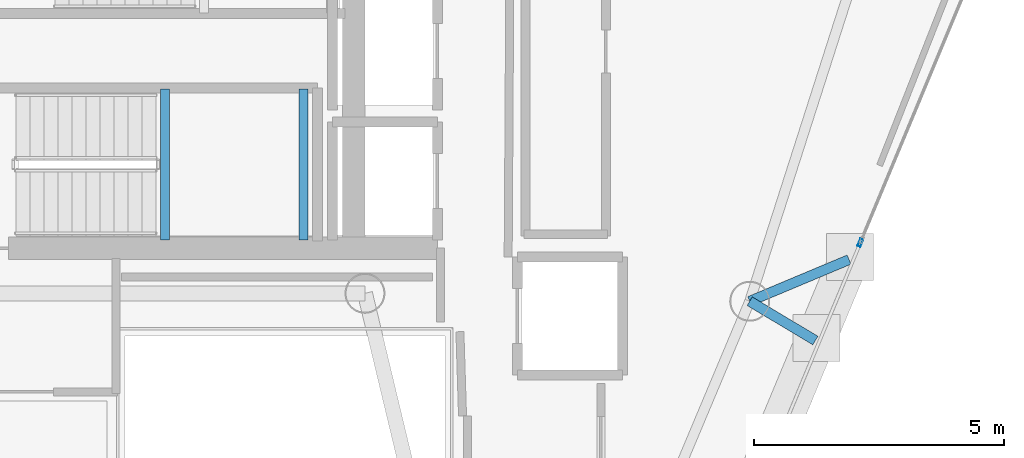
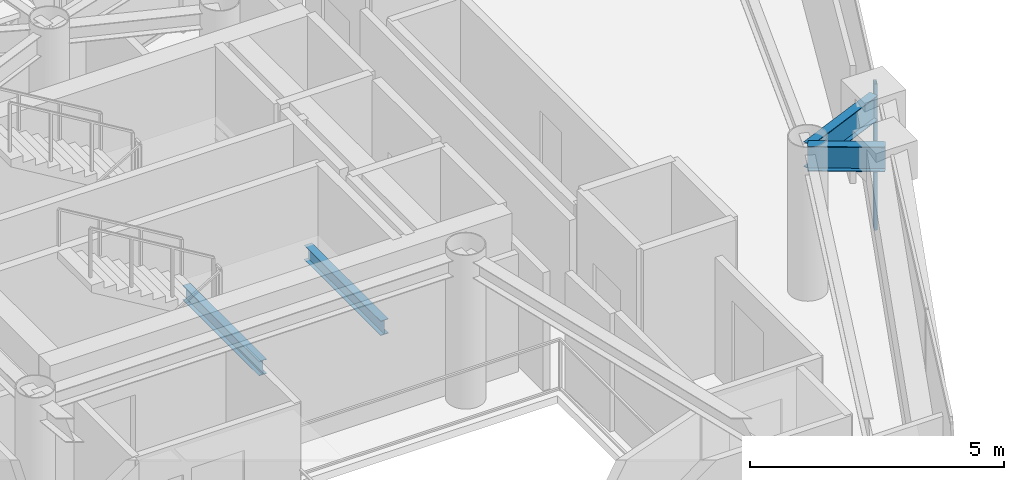
# One storey, part 11 of 19: 4 beams, 1 member, 1 element without a shape of its own.
"""IFC4 building model written with IfcOpenShell, lengths in metres."""

from ifc_helpers import new_model, si_unit, direction, frame, origin, origin_2d, place, context, subcontext, project, spatial, hollow_rectangle, i_section, extrude, material, layer, layer_set, material_profile, profile_set, type_object, element, aggregate, save


model = new_model("IFC4")

# Units and contexts
model_context = context("Model", 3, precision=1e-05, world=origin(), true_north=direction((0.0, 1.0)))
body_context = subcontext(model_context, "Body", "Model", "MODEL_VIEW")
ifc_project = project(units=[si_unit("LENGTHUNIT", "METRE"), si_unit("AREAUNIT", "SQUARE_METRE"), si_unit("VOLUMEUNIT", "CUBIC_METRE"), si_unit("PLANEANGLEUNIT", "RADIAN"), si_unit("MASSUNIT", "GRAM", prefix="KILO")], contexts=[model_context])

# Site, building, storey
site_placement = place(None, origin())
site = spatial("IfcSite", under=ifc_project, at=site_placement, CompositionType="ELEMENT")
building_placement = place(site_placement, origin())
building = spatial("IfcBuilding", under=site, at=building_placement, Name="Qianvela Tower", CompositionType="ELEMENT")
storey_placement = place(building_placement, frame((0.0, 0.0, 333.300048828125)))
storey = spatial("IfcBuildingStorey", under=building, at=storey_placement, Name="L86", CompositionType="ELEMENT", Elevation=333.300048828125)

# Beams
ifc_material_1 = material(Name="Steel Q355B", Category="steel")
ifc_material_profile_1 = material_profile(ifc_material_1, i_section(OverallWidth=0.175048828125, OverallDepth=0.35009765625, WebThickness=0.007080078125, FlangeThickness=0.010986328125, at=origin_2d()), Name="HN350x175x7x11")
ifc_profile_set_1 = profile_set([ifc_material_profile_1], Name="Steel Q355B")
beam_type_1 = type_object("IfcBeamType", Name="BM-HN350-JOIST", PredefinedType="JOIST", material=ifc_profile_set_1)
for number, where, z_axis, x_axis, name in (
    (1, (34.39990234375, 24.919921875, 1.474853515625), (0.0, 1.0, 0.0), (-1.0, 0.0, 0.0), "L86 Stair ST-2 Landing Support Beam 1.1"),
    (2, (37.169921875, 24.919921875, 1.474853515625), (0.0, 1.0, 0.0), (-1.0, 0.0, 0.0), "L86 Stair ST-2 Landing Support Beam 1.2"),
):
    element("IfcBeam", number, at=place(storey_placement, frame(where, z_axis=z_axis, x_axis=x_axis)), inside=storey, type_object=beam_type_1, Name=name, PredefinedType="JOIST", context=body_context, shape_type="SweptSolid", body=[
        extrude(i_section(OverallWidth=0.175048828125, OverallDepth=0.35009765625, WebThickness=0.007080078125, FlangeThickness=0.010986328125, at=origin_2d()), origin(), (0.0, 0.0, 1.0), 3.02001953125),
    ])
ifc_material_2 = material(Name="Steel Q355B", Category="steel")
ifc_material_profile_2 = material_profile(ifc_material_2, i_section(OverallWidth=0.199951171875, OverallDepth=0.60009765625, WebThickness=0.010986328125, FlangeThickness=0.01708984375, at=origin_2d()), Name="HN600x200x11x17")
ifc_profile_set_2 = profile_set([ifc_material_profile_2], Name="Steel Q355B")
beam_type_2 = type_object("IfcBeamType", Name="BM-HN600-GIRD", PredefinedType="BEAM", material=ifc_profile_set_2)
beam_1_placement = place(storey_placement, frame((46.094970703125, 23.69091796875, 3.218017578125), z_axis=(0.858322660481, -0.513110329759, 0.0), x_axis=(0.513110329759, 0.858322660481, 0.0)))
element("IfcBeam", 3, at=beam_1_placement, inside=storey, type_object=beam_type_2, Name="L86 Mega-Brace Column Tie Bracket F3-1", PredefinedType="BEAM", context=body_context, shape_type="SweptSolid", body=[
    extrude(i_section(OverallWidth=0.199951171875, OverallDepth=0.60009765625, WebThickness=0.010986328125, FlangeThickness=0.01708984375, at=origin_2d()), origin(), (0.0, 0.0, 1.0), 1.52978515625),
])
beam_2_placement = place(storey_placement, frame((46.094970703125, 23.69091796875, 3.218017578125), z_axis=(0.922223061058, 0.386658280208, 0.0), x_axis=(-0.386658280208, 0.922223061058, 0.0)))
element("IfcBeam", 4, at=beam_2_placement, inside=storey, type_object=beam_type_2, Name="L86 Mega-Brace Column Tie Bracket F3-2", PredefinedType="BEAM", context=body_context, shape_type="SweptSolid", body=[
    extrude(i_section(OverallWidth=0.199951171875, OverallDepth=0.60009765625, WebThickness=0.010986328125, FlangeThickness=0.01708984375, at=origin_2d()), origin(), (0.0, 0.0, 1.0), 2.154296875),
])

# Curtain wall, member
ifc_material_3 = material(Name="Anodised Architectural Aluminium and Insulated Spandrel Panel", Category="aluminium")
ifc_layer = layer(ifc_material_3, 0.179931640625)
ifc_layer_set = layer_set([ifc_layer], Name="Anodised Architectural Aluminium and Insulated Spandrel Panel")
curtain_wall_type = type_object("IfcCurtainWallType", Name="CW-BRACEBAY", PredefinedType="USERDEFINED", material=ifc_layer_set)
curtain_wall_placement = place(storey_placement, origin())
curtain_wall = element("IfcCurtainWall", 5, at=curtain_wall_placement, inside=storey, type_object=curtain_wall_type, Name="L86 CW-BRACEBAY Curtain Wall 06B", ObjectType="CURTAIN_WALL_SYSTEM", PredefinedType="USERDEFINED")
ifc_material_4 = material(Name="Anodised Architectural Aluminium 6063-T6", Category="aluminium")
ifc_material_profile_3 = material_profile(ifc_material_4, hollow_rectangle(XDim=0.06494140625, YDim=0.159912109375, WallThickness=0.0048828125, at=origin_2d()), Name="ALU-MULL-65x160")
ifc_profile_set_3 = profile_set([ifc_material_profile_3], Name="Anodised Architectural Aluminium 6063-T6")
member_type = type_object("IfcMemberType", Name="CW-BRACEBAY-MULL", PredefinedType="MULLION", material=ifc_profile_set_3)
member_placement = place(storey_placement, frame((48.308349609375, 24.860107421875, 0.0), z_axis=(0.0, 0.0, 1.0), x_axis=(-0.923163052231, 0.38440860942, 0.0)))
member = element("IfcMember", 6, at=member_placement, type_object=member_type, Name="CW-9 mullion 3", PredefinedType="MULLION", context=body_context, shape_type="SweptSolid", body=[
    extrude(hollow_rectangle(XDim=0.06494140625, YDim=0.159912109375, WallThickness=0.0048828125, at=origin_2d()), origin(), (0.0, 0.0, 1.0), 3.52001953125),
])
aggregate(curtain_wall, [member])

save(model, "model.ifc")
